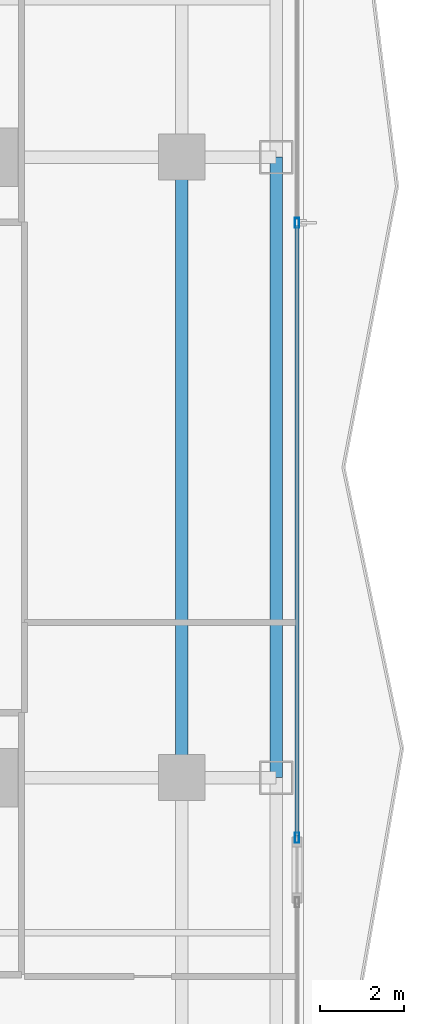
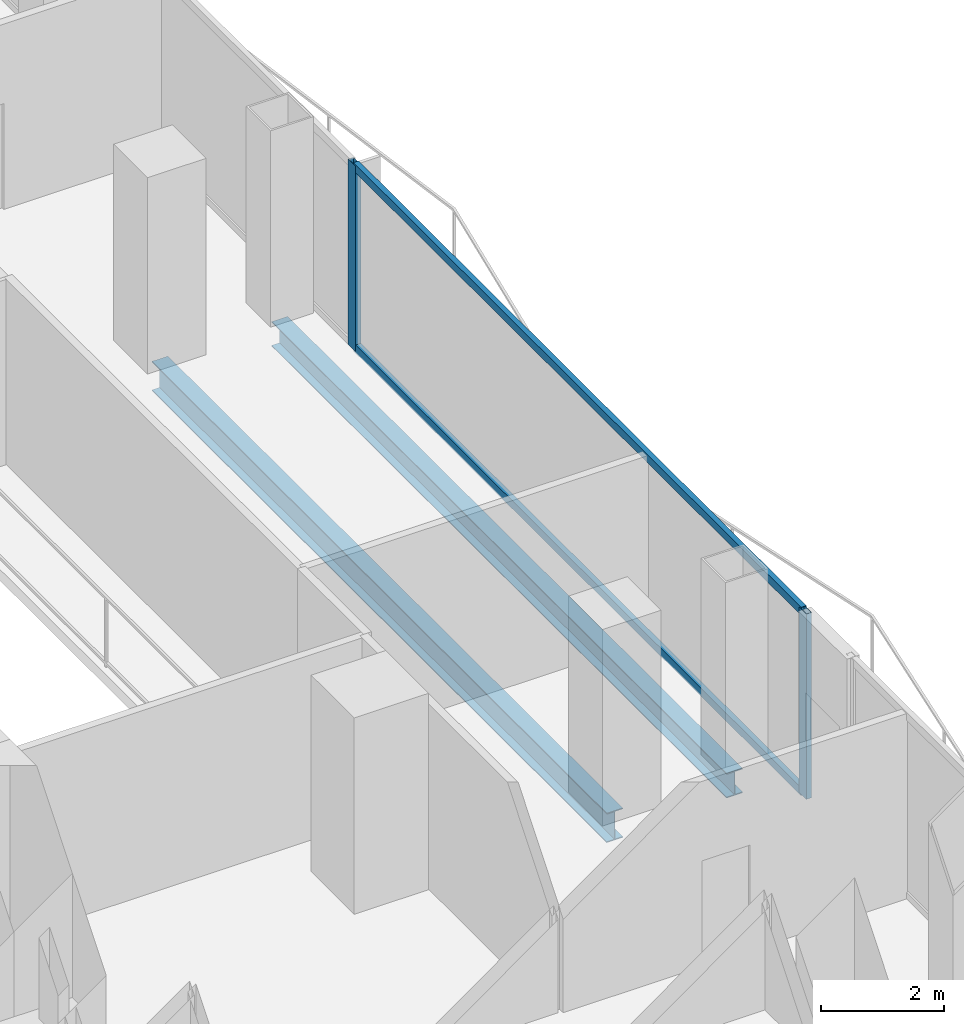
# One storey, part 12 of 30: 4 members, 2 beams, 1 element without a shape of its own.
"""IFC4 building model written with IfcOpenShell, lengths in metres."""

from ifc_helpers import new_model, si_unit, direction, frame, origin, origin_2d, place, context, subcontext, project, spatial, hollow_rectangle, i_section, extrude, material, layer, layer_set, material_profile, profile_set, type_object, element, aggregate, save


model = new_model("IFC4")

# Units and contexts
model_context = context("Model", 3, precision=1e-05, world=origin(), true_north=direction((0.0, 1.0)))
body_context = subcontext(model_context, "Body", "Model", "MODEL_VIEW")
ifc_project = project(units=[si_unit("LENGTHUNIT", "METRE"), si_unit("AREAUNIT", "SQUARE_METRE"), si_unit("VOLUMEUNIT", "CUBIC_METRE"), si_unit("PLANEANGLEUNIT", "RADIAN"), si_unit("MASSUNIT", "GRAM", prefix="KILO")], contexts=[model_context])

# Site, building, storey
site_placement = place(None, origin())
site = spatial("IfcSite", under=ifc_project, at=site_placement, CompositionType="ELEMENT")
building_placement = place(site_placement, origin())
building = spatial("IfcBuilding", under=site, at=building_placement, Name="Khorvyn Point Tower", CompositionType="ELEMENT")
storey_placement = place(building_placement, frame((0.0, 0.0, 57.89990234375)))
storey = spatial("IfcBuildingStorey", under=building, at=storey_placement, Name="L15", CompositionType="ELEMENT", Elevation=57.89990234375)

# Curtain wall, members
ifc_material_1 = material(Name="Anodised aluminium 6063-T6 and laminated Low-E glass", Category="aluminium")
ifc_layer = layer(ifc_material_1, 0.18994140625)
ifc_layer_set = layer_set([ifc_layer], Name="Stick-Built Finned Residential Curtain Wall CW-SYS-02")
curtain_wall_type = type_object("IfcCurtainWallType", Name="Stick-Built Finned Residential Curtain Wall CW-SYS-02", PredefinedType="NOTDEFINED", material=ifc_layer_set)
curtain_wall_placement = place(storey_placement, origin())
curtain_wall = element("IfcCurtainWall", 1, at=curtain_wall_placement, inside=storey, type_object=curtain_wall_type, Name="Curtain Wall", PredefinedType="NOTDEFINED")
ifc_material_2 = material(Name="Anodised aluminium 6063-T6", Category="aluminium")
ifc_material_profile_1 = material_profile(ifc_material_2, hollow_rectangle(XDim=0.10009765625, YDim=0.239990234375, WallThickness=0.0048828125, at=origin_2d()))
ifc_profile_set_1 = profile_set([ifc_material_profile_1], Name="Anodised aluminium 6063-T6 ALU-MUL-100x240")
member_type_1 = type_object("IfcMemberType", Name="Anodised Aluminium 6063-T6 Mullion ALU-MUL-100x240", PredefinedType="MULLION", material=ifc_profile_set_1)
member_1_placement = place(storey_placement, frame((22.14990234375, 5.83251953125, 0.0), z_axis=(0.0, 0.0, 1.0), x_axis=(1.0, 0.0, 0.0)))
member_1 = element("IfcMember", 2, at=member_1_placement, type_object=member_type_1, Name="Transom", PredefinedType="MULLION", context=body_context, shape_type="SweptSolid", body=[
    extrude(hollow_rectangle(XDim=0.10009765625, YDim=0.239990234375, WallThickness=0.0048828125, at=origin_2d()), origin(), (0.0, 0.0, 1.0), 3.68017578125),
])
member_2_placement = place(storey_placement, frame((22.14990234375, -8.8349609375, 0.0), z_axis=(0.0, 0.0, 1.0), x_axis=(1.0, 0.0, 0.0)))
member_2 = element("IfcMember", 3, at=member_2_placement, type_object=member_type_1, Name="Transom", PredefinedType="MULLION", context=body_context, shape_type="SweptSolid", body=[
    extrude(hollow_rectangle(XDim=0.10009765625, YDim=0.239990234375, WallThickness=0.0048828125, at=origin_2d()), origin(), (0.0, 0.0, 1.0), 3.68017578125),
])
ifc_material_profile_2 = material_profile(ifc_material_2, hollow_rectangle(XDim=0.10009765625, YDim=0.159912109375, WallThickness=0.00439453125, at=origin_2d()))
ifc_profile_set_2 = profile_set([ifc_material_profile_2], Name="Anodised aluminium 6063-T6 ALU-TRN-100x160")
member_type_2 = type_object("IfcMemberType", Name="Anodised Aluminium 6063-T6 Transom ALU-TRN-100x160", PredefinedType="USERDEFINED", material=ifc_profile_set_2)
member_3_placement = place(storey_placement, frame((22.14990234375, 5.782470703125, 0.050048828125), z_axis=(0.0, -1.0, 0.0), x_axis=(1.0, 0.0, 0.0)))
member_3 = element("IfcMember", 4, at=member_3_placement, type_object=member_type_2, Name="Transom", ObjectType="TRANSOM", PredefinedType="USERDEFINED", context=body_context, shape_type="SweptSolid", body=[
    extrude(hollow_rectangle(XDim=0.10009765625, YDim=0.159912109375, WallThickness=0.00439453125, at=origin_2d()), origin(), (0.0, 0.0, 1.0), 14.5673828125),
])
member_4_placement = place(storey_placement, frame((22.14990234375, 5.782470703125, 3.630126953125), z_axis=(0.0, -1.0, 0.0), x_axis=(1.0, 0.0, 0.0)))
member_4 = element("IfcMember", 5, at=member_4_placement, type_object=member_type_2, Name="Transom", ObjectType="TRANSOM", PredefinedType="USERDEFINED", context=body_context, shape_type="SweptSolid", body=[
    extrude(hollow_rectangle(XDim=0.10009765625, YDim=0.159912109375, WallThickness=0.00439453125, at=origin_2d()), origin(), (0.0, 0.0, 1.0), 14.5673828125),
])
aggregate(curtain_wall, [member_1, member_2, member_3, member_4])

# Beams
ifc_material_3 = material(Name="Steel S355", Category="steel")
ifc_material_profile_3 = material_profile(ifc_material_3, i_section(OverallWidth=0.300048828125, OverallDepth=0.587890625, WebThickness=0.011962890625, FlangeThickness=0.02001953125, at=origin_2d()))
ifc_profile_set_3 = profile_set([ifc_material_profile_3], Name="Steel S355 H588x300x12x20")
beam_type_1 = type_object("IfcBeamType", Name="Steel S355 Beam H588x300x12x20", PredefinedType="BEAM", material=ifc_profile_set_3)
beam_1_placement = place(storey_placement, frame((19.39990234375, -7.39990234375, -0.513916015625), z_axis=(0.0, 1.0, 0.0), x_axis=(-1.0, 0.0, 0.0)))
element("IfcBeam", 6, at=beam_1_placement, inside=storey, type_object=beam_type_1, Name="Beam", PredefinedType="BEAM", context=body_context, shape_type="SweptSolid", body=[
    extrude(i_section(OverallWidth=0.300048828125, OverallDepth=0.587890625, WebThickness=0.011962890625, FlangeThickness=0.02001953125, at=origin_2d()), origin(), (0.0, 0.0, 1.0), 14.7998046875),
])
ifc_material_profile_4 = material_profile(ifc_material_3, i_section(OverallWidth=0.300048828125, OverallDepth=0.488037109375, WebThickness=0.010986328125, FlangeThickness=0.01806640625, at=origin_2d()))
ifc_profile_set_4 = profile_set([ifc_material_profile_4], Name="Steel S355 H488x300x11x18")
beam_type_2 = type_object("IfcBeamType", Name="Steel S355 Spandrel H488x300x11x18", PredefinedType="SPANDREL", material=ifc_profile_set_4)
beam_2_placement = place(storey_placement, frame((21.64990234375, -7.39990234375, -0.4638671875), z_axis=(0.0, 1.0, 0.0), x_axis=(-1.0, 0.0, 0.0)))
element("IfcBeam", 7, at=beam_2_placement, inside=storey, type_object=beam_type_2, Name="Beam", PredefinedType="SPANDREL", context=body_context, shape_type="SweptSolid", body=[
    extrude(i_section(OverallWidth=0.300048828125, OverallDepth=0.488037109375, WebThickness=0.010986328125, FlangeThickness=0.01806640625, at=origin_2d()), origin(), (0.0, 0.0, 1.0), 14.7998046875),
])

save(model, "model.ifc")
